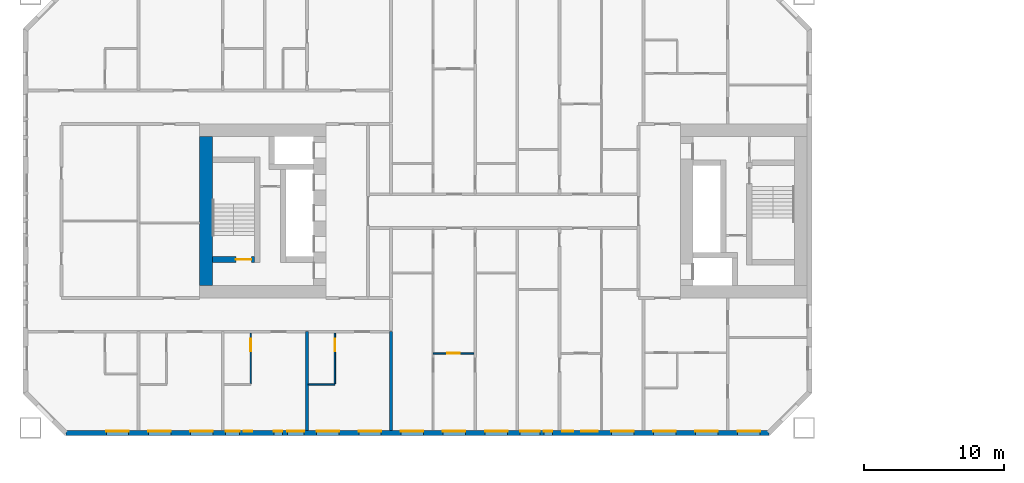
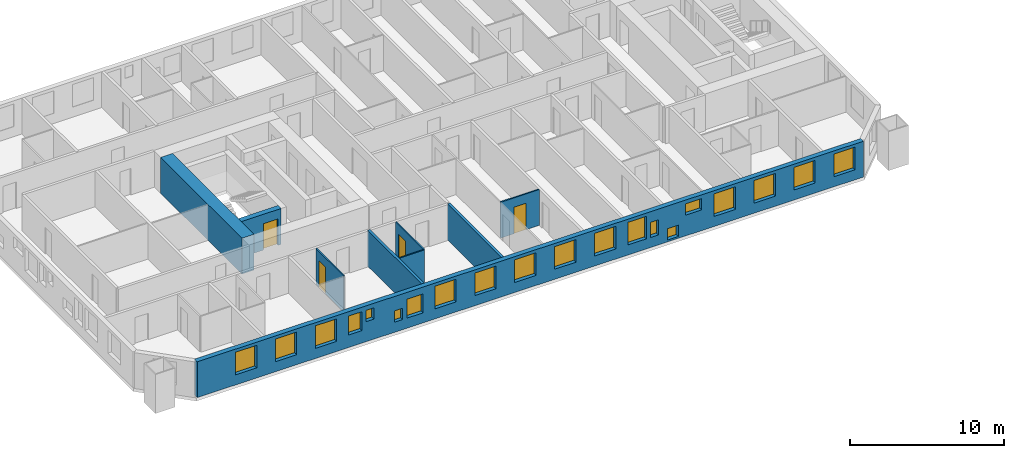
# One storey, part 3 of 17: 20 windows, 9 walls, 4 doors, 24 openings.
"""IFC4 building model written with IfcOpenShell, lengths in metres."""

import ifcopenshell
import ifcopenshell.guid

model = None  # the IFC model being written
_history = None  # IfcOwnerHistory: only IFC2X3 demands one
_inside = {}  # id of a spatial element -> (the spatial element, [elements in it])
_under = {}  # id of a project, library or spatial element -> (it, [spatial elements below it])
_declared = {}  # id of a project -> (the project, [libraries it declares])
_typed = {}  # id of a type object -> (the type object, [elements of that type])
_made_of = {}  # id of a material, layer set ... -> (it, [elements and type objects made of it])


def new_model(schema):
    """Start an empty IFC model of exactly this schema.

    Asked for "IFC4X3", IfcOpenShell would pick the latest addendum, in which some entities
    have other attributes; the version numbers below select the first issue.
    IFC2X3 requires an IfcOwnerHistory on every rooted entity: one is made here for all.
    """
    global model, _history
    if schema == "IFC4X3":
        model = ifcopenshell.file(schema_version=(4, 3, 0, 0))
    else:
        model = ifcopenshell.file(schema=schema)
    _inside.clear()
    _under.clear()
    _declared.clear()
    _typed.clear()
    _made_of.clear()
    _history = None
    if model.schema == "IFC2X3":
        org = make("IfcOrganization", Name="unknown")
        user = make(
            "IfcPersonAndOrganization",
            ThePerson=make("IfcPerson", FamilyName="unknown"),
            TheOrganization=org,
        )
        app = make(
            "IfcApplication",
            ApplicationDeveloper=org,
            Version="unknown",
            ApplicationFullName="unknown",
            ApplicationIdentifier="unknown",
        )
        _history = make(
            "IfcOwnerHistory",
            OwningUser=user,
            OwningApplication=app,
            ChangeAction="ADDED",
            CreationDate=0,
        )
    return model


def make(cls, **values):
    """One entity of the class cls with the attributes given. An attribute that is None is left unset."""
    return model.create_entity(
        cls, **{name: value for name, value in values.items() if value is not None}
    )


def rooted(cls, **values):
    """An entity with a GlobalId (a new one), such as an element, a storey or a relation."""
    return make(cls, GlobalId=ifcopenshell.guid.new(), OwnerHistory=_history, **values)


def si_unit(unit_type, name, prefix=None):
    """IfcSIUnit, for example si_unit("LENGTHUNIT", "METRE", prefix="MILLI")."""
    return make("IfcSIUnit", UnitType=unit_type, Prefix=prefix, Name=name)


def assignment(units):
    """IfcUnitAssignment: the units of a project."""
    return None if units is None else make("IfcUnitAssignment", Units=units)


def point(xyz):
    """IfcCartesianPoint."""
    return None if xyz is None else make("IfcCartesianPoint", Coordinates=xyz)


def direction(xyz):
    """IfcDirection."""
    return None if xyz is None else make("IfcDirection", DirectionRatios=xyz)


def frame(location, z_axis=None, x_axis=None):
    """IfcAxis2Placement3D, a coordinate frame: its origin and axes. An axis left out is left unset."""
    return make(
        "IfcAxis2Placement3D",
        Location=point(location),
        Axis=direction(z_axis),
        RefDirection=direction(x_axis),
    )


def frame_2d(location, x_axis=None):
    """IfcAxis2Placement2D, a coordinate frame in the plane: its origin and x axis."""
    return make(
        "IfcAxis2Placement2D", Location=point(location), RefDirection=direction(x_axis)
    )


def origin():
    """The frame at (0, 0, 0) with its axes left unset."""
    return frame((0.0, 0.0, 0.0))


def place(relative_to, where):
    """IfcLocalPlacement: puts the frame where relative to a parent placement (None: the world)."""
    return make(
        "IfcLocalPlacement", PlacementRelTo=relative_to, RelativePlacement=where
    )


def context(
    kind, dimensions, precision=None, world=None, true_north=None, identifier=None
):
    """IfcGeometricRepresentationContext, for example the 3D "Model" context."""
    return make(
        "IfcGeometricRepresentationContext",
        ContextIdentifier=identifier,
        ContextType=kind,
        CoordinateSpaceDimension=dimensions,
        Precision=precision,
        WorldCoordinateSystem=world,
        TrueNorth=true_north,
    )


def subcontext(parent, identifier, kind, view, scale=None):
    """IfcGeometricRepresentationSubContext, for example "Body" below "Model"."""
    return make(
        "IfcGeometricRepresentationSubContext",
        ContextIdentifier=identifier,
        ContextType=kind,
        ParentContext=parent,
        TargetScale=scale,
        TargetView=view,
    )


def project(units=None, contexts=None):
    """IfcProject with its units and contexts."""
    return rooted(
        "IfcProject",
        Name="project",
        RepresentationContexts=contexts,
        UnitsInContext=assignment(units),
    )


def spatial(cls, under=None, at=None, **own):
    """A site, building, storey or space (cls), placed at a placement, below another one or the project."""
    s = rooted(cls, ObjectPlacement=at, **own)
    if under is not None:
        _under.setdefault(under.id(), (under, []))[1].append(s)
    return s


def profile(cls, at=None, kind="AREA", **sizes):
    """A parametric profile (cls). Its sizes go by their IFC names, for example OverallWidth=200.0."""
    return make(cls, ProfileType=kind, Position=at, **sizes)


def rectangle(**sizes):
    """IfcRectangleProfileDef."""
    return profile("IfcRectangleProfileDef", **sizes)


def extrude(swept, where, along, depth):
    """IfcExtrudedAreaSolid: the profile swept, set in the frame where, extruded along a direction by depth."""
    return make(
        "IfcExtrudedAreaSolid",
        SweptArea=swept,
        Position=where,
        ExtrudedDirection=direction(along),
        Depth=depth,
    )


def shape(context_of_items, identifier, shape_type, items):
    """IfcShapeRepresentation: the items that make up one representation, for example the "Body"."""
    return make(
        "IfcShapeRepresentation",
        ContextOfItems=context_of_items,
        RepresentationIdentifier=identifier,
        RepresentationType=shape_type,
        Items=items,
    )


def material(Name=None, Category=None):
    """IfcMaterial."""
    return make("IfcMaterial", Name=Name, Category=Category)


def layer(
    of_material, thickness, ventilated=None, Name=None, Category=None, Priority=None
):
    """IfcMaterialLayer: one layer of a wall or slab, of a material (None: an air gap)."""
    return make(
        "IfcMaterialLayer",
        Material=of_material,
        LayerThickness=thickness,
        IsVentilated=ventilated,
        Name=Name,
        Category=Category,
        Priority=Priority,
    )


def layer_set(layers, Name=None):
    """IfcMaterialLayerSet."""
    return make("IfcMaterialLayerSet", MaterialLayers=layers, LayerSetName=Name)


def made_of(thing, what):
    """Note that an element or type object is made of a material, layer set ...; save() writes the relation."""
    if what is not None:
        _made_of.setdefault(what.id(), (what, []))[1].append(thing)
    return thing


def type_object(cls, material=None, **own):
    """A type object (cls), such as IfcWallType, which elements share."""
    return made_of(rooted(cls, **own), material)


def element(
    cls,
    number,
    at=None,
    inside=None,
    cuts=None,
    type_object=None,
    material=None,
    context=None,
    identifier="Body",
    shape_type=None,
    held_by="IfcProductDefinitionShape",
    body=None,
    shapes=None,
    **own,
):
    """One element of the class cls, such as IfcWall. Its Tag is "e" and its number.

    at: its placement. inside: the storey or other place that contains it. cuts: it is an
    opening in that element (IfcRelVoidsElement). A single representation is given by context,
    identifier, shape_type and body (its items); several are given by shapes. held_by: the class
    of the entity that holds the representations. save() writes the other relations.
    """
    e = rooted(cls, Tag="e%d" % number, ObjectPlacement=at, **own)
    if body is not None:
        shapes = [shape(context, identifier, shape_type, body)]
    if shapes is not None:
        e.Representation = make(held_by, Representations=shapes)
    if inside is not None:
        _inside.setdefault(inside.id(), (inside, []))[1].append(e)
    if cuts is not None:
        rooted(
            "IfcRelVoidsElement", RelatingBuildingElement=cuts, RelatedOpeningElement=e
        )
    if type_object is not None:
        _typed.setdefault(type_object.id(), (type_object, []))[1].append(e)
    return made_of(e, material)


def fill(opening, filler):
    """IfcRelFillsElement: the door or window that sits in an opening."""
    return rooted(
        "IfcRelFillsElement",
        RelatingOpeningElement=opening,
        RelatedBuildingElement=filler,
    )


def aggregate(whole, parts):
    """IfcRelAggregates: a whole, such as a stair, and the parts it consists of."""
    return rooted("IfcRelAggregates", RelatingObject=whole, RelatedObjects=parts)


def save(model, path):
    """Write the relations noted so far, then the file.

    IfcRelAggregates (storeys below a building ...), IfcRelContainedInSpatialStructure (elements
    in a storey), IfcRelDefinesByType, IfcRelAssociatesMaterial and IfcRelDeclares: one each for
    every whole, place, type object, material and project.
    """
    for whole, parts in _under.values():
        aggregate(whole, parts)
    for where, things in _inside.values():
        rooted(
            "IfcRelContainedInSpatialStructure",
            RelatedElements=things,
            RelatingStructure=where,
        )
    for kind, things in _typed.values():
        rooted("IfcRelDefinesByType", RelatedObjects=things, RelatingType=kind)
    for what, things in _made_of.values():
        rooted("IfcRelAssociatesMaterial", RelatedObjects=things, RelatingMaterial=what)
    for by, libraries in _declared.values():
        rooted("IfcRelDeclares", RelatingContext=by, RelatedDefinitions=libraries)
    model.write(path)


model = new_model("IFC4")

# Units and contexts
model_context = context("Model", 3, precision=1e-05, world=origin(), true_north=direction((0.0, 1.0)))
body_context = subcontext(model_context, "Body", "Model", "MODEL_VIEW")
ifc_project = project(units=[si_unit("LENGTHUNIT", "METRE"), si_unit("AREAUNIT", "SQUARE_METRE"), si_unit("VOLUMEUNIT", "CUBIC_METRE"), si_unit("PLANEANGLEUNIT", "RADIAN"), si_unit("MASSUNIT", "GRAM", prefix="KILO")], contexts=[model_context])

# Site, building, storey
site_placement = place(None, origin())
site = spatial("IfcSite", under=ifc_project, at=site_placement, CompositionType="ELEMENT")
building_placement = place(site_placement, origin())
building = spatial("IfcBuilding", under=site, at=building_placement, Name="Tuart Gate Housing", CompositionType="ELEMENT")
storey_placement = place(building_placement, frame((0.0, 0.0, 28.800048828125)))
storey = spatial("IfcBuildingStorey", under=building, at=storey_placement, Name="L07", CompositionType="ELEMENT", Elevation=28.800048828125)

# Wall, openings, windows
ifc_material_1 = material(Name="Brick", Category="masonry")
ifc_layer_1 = layer(ifc_material_1, 0.360107421875)
ifc_layer_set_1 = layer_set([ifc_layer_1], Name="Brick pier and spandrel wall 360")
wall_type_1 = type_object("IfcWallType", Name="Brick pier and spandrel wall 360", PredefinedType="STANDARD", material=ifc_layer_set_1)
wall_1_placement = place(storey_placement, frame((22.82470703125, 54.179931640625, 0.0), z_axis=(0.0, 0.0, 1.0), x_axis=(1.0, 0.0, 0.0)))
wall_1 = element("IfcWall", 1, at=wall_1_placement, inside=storey, type_object=wall_type_1, Name="External wall A-S L07", PredefinedType="STANDARD", context=body_context, shape_type="SweptSolid", body=[
    extrude(rectangle(XDim=50.100830078125, YDim=0.360107421875, at=frame_2d((25.05029296875, 0.0))), origin(), (0.0, 0.0, 1.0), 2.849853515625),
])
opening_1_placement = place(wall_1_placement, frame((2.87548828125, 0.0, 0.800048828125)))
opening_1 = element("IfcOpeningElement", 2, at=opening_1_placement, cuts=wall_1, Name="Opening W1", PredefinedType="OPENING", context=body_context, shape_type="SweptSolid", body=[
    extrude(rectangle(XDim=1.60009765625, YDim=1.800048828125, at=frame_2d((0.800048828125, 0.89990234375))), frame((0.0, 0.18994140625, 0.0), z_axis=(0.0, -1.0, 0.0), x_axis=(1.0, 0.0, 0.0)), (0.0, 0.0, 1.0), 0.380126953125),
])
opening_2_placement = place(wall_1_placement, frame((5.87548828125, 0.0, 0.800048828125)))
opening_2 = element("IfcOpeningElement", 3, at=opening_2_placement, cuts=wall_1, Name="Opening W1", PredefinedType="OPENING", context=body_context, shape_type="SweptSolid", body=[
    extrude(rectangle(XDim=1.60009765625, YDim=1.800048828125, at=frame_2d((0.800048828125, 0.89990234375))), frame((0.0, 0.18994140625, 0.0), z_axis=(0.0, -1.0, 0.0), x_axis=(1.0, 0.0, 0.0)), (0.0, 0.0, 1.0), 0.380126953125),
])
opening_3_placement = place(wall_1_placement, frame((8.87548828125, 0.0, 0.800048828125)))
opening_3 = element("IfcOpeningElement", 4, at=opening_3_placement, cuts=wall_1, Name="Opening W1", PredefinedType="OPENING", context=body_context, shape_type="SweptSolid", body=[
    extrude(rectangle(XDim=1.60009765625, YDim=1.800048828125, at=frame_2d((0.800048828125, 0.89990234375))), frame((0.0, 0.18994140625, 0.0), z_axis=(0.0, -1.0, 0.0), x_axis=(1.0, 0.0, 0.0)), (0.0, 0.0, 1.0), 0.380126953125),
])
opening_4_placement = place(wall_1_placement, frame((11.37548828125, 0.0, 1.0)))
opening_4 = element("IfcOpeningElement", 5, at=opening_4_placement, cuts=wall_1, Name="Opening W1I", PredefinedType="OPENING", context=body_context, shape_type="SweptSolid", body=[
    extrude(rectangle(XDim=1.0, YDim=1.5, at=frame_2d((0.5, 0.75))), frame((0.0, 0.18994140625, 0.0), z_axis=(0.0, -1.0, 0.0), x_axis=(1.0, 0.0, 0.0)), (0.0, 0.0, 1.0), 0.380126953125),
])
opening_5_placement = place(wall_1_placement, frame((12.67529296875, 0.0, 1.60009765625)))
opening_5 = element("IfcOpeningElement", 6, at=opening_5_placement, cuts=wall_1, Name="Opening W1W", PredefinedType="OPENING", context=body_context, shape_type="SweptSolid", body=[
    extrude(rectangle(XDim=0.60009765625, YDim=0.89990234375, at=frame_2d((0.300048828125, 0.449951171875))), frame((0.0, 0.18994140625, 0.0), z_axis=(0.0, -1.0, 0.0), x_axis=(1.0, 0.0, 0.0)), (0.0, 0.0, 1.0), 0.380126953125),
])
opening_6_placement = place(wall_1_placement, frame((17.87548828125, 0.0, 0.800048828125)))
opening_6 = element("IfcOpeningElement", 7, at=opening_6_placement, cuts=wall_1, Name="Opening W1", PredefinedType="OPENING", context=body_context, shape_type="SweptSolid", body=[
    extrude(rectangle(XDim=1.60009765625, YDim=1.800048828125, at=frame_2d((0.800048828125, 0.89990234375))), frame((0.0, 0.18994140625, 0.0), z_axis=(0.0, -1.0, 0.0), x_axis=(1.0, 0.0, 0.0)), (0.0, 0.0, 1.0), 0.380126953125),
])
opening_7_placement = place(wall_1_placement, frame((20.87548828125, 0.0, 0.800048828125)))
opening_7 = element("IfcOpeningElement", 8, at=opening_7_placement, cuts=wall_1, Name="Opening W1", PredefinedType="OPENING", context=body_context, shape_type="SweptSolid", body=[
    extrude(rectangle(XDim=1.60009765625, YDim=1.800048828125, at=frame_2d((0.800048828125, 0.89990234375))), frame((0.0, 0.18994140625, 0.0), z_axis=(0.0, -1.0, 0.0), x_axis=(1.0, 0.0, 0.0)), (0.0, 0.0, 1.0), 0.380126953125),
])
opening_8_placement = place(wall_1_placement, frame((23.87548828125, 0.0, 0.800048828125)))
opening_8 = element("IfcOpeningElement", 9, at=opening_8_placement, cuts=wall_1, Name="Opening W1", PredefinedType="OPENING", context=body_context, shape_type="SweptSolid", body=[
    extrude(rectangle(XDim=1.60009765625, YDim=1.800048828125, at=frame_2d((0.800048828125, 0.89990234375))), frame((0.0, 0.18994140625, 0.0), z_axis=(0.0, -1.0, 0.0), x_axis=(1.0, 0.0, 0.0)), (0.0, 0.0, 1.0), 0.380126953125),
])
opening_9_placement = place(wall_1_placement, frame((26.87548828125, 0.0, 0.800048828125)))
opening_9 = element("IfcOpeningElement", 10, at=opening_9_placement, cuts=wall_1, Name="Opening W1", PredefinedType="OPENING", context=body_context, shape_type="SweptSolid", body=[
    extrude(rectangle(XDim=1.60009765625, YDim=1.800048828125, at=frame_2d((0.800048828125, 0.89990234375))), frame((0.0, 0.18994140625, 0.0), z_axis=(0.0, -1.0, 0.0), x_axis=(1.0, 0.0, 0.0)), (0.0, 0.0, 1.0), 0.380126953125),
])
opening_10_placement = place(wall_1_placement, frame((29.87548828125, 0.0, 0.800048828125)))
opening_10 = element("IfcOpeningElement", 11, at=opening_10_placement, cuts=wall_1, Name="Opening W1", PredefinedType="OPENING", context=body_context, shape_type="SweptSolid", body=[
    extrude(rectangle(XDim=1.60009765625, YDim=1.800048828125, at=frame_2d((0.800048828125, 0.89990234375))), frame((0.0, 0.18994140625, 0.0), z_axis=(0.0, -1.0, 0.0), x_axis=(1.0, 0.0, 0.0)), (0.0, 0.0, 1.0), 0.380126953125),
])
opening_11_placement = place(wall_1_placement, frame((32.37548828125, 0.0, 0.800048828125)))
opening_11 = element("IfcOpeningElement", 12, at=opening_11_placement, cuts=wall_1, Name="Opening W1A", PredefinedType="OPENING", context=body_context, shape_type="SweptSolid", body=[
    extrude(rectangle(XDim=1.39990234375, YDim=1.800048828125, at=frame_2d((0.699951171875, 0.89990234375))), frame((0.0, 0.18994140625, 0.0), z_axis=(0.0, -1.0, 0.0), x_axis=(1.0, 0.0, 0.0)), (0.0, 0.0, 1.0), 0.380126953125),
])
opening_12_placement = place(wall_1_placement, frame((35.37548828125, 0.0, 0.14990234375)))
opening_12 = element("IfcOpeningElement", 13, at=opening_12_placement, cuts=wall_1, Name="Opening W1V", PredefinedType="OPENING", context=body_context, shape_type="SweptSolid", body=[
    extrude(rectangle(XDim=0.800048828125, YDim=0.89990234375, at=frame_2d((0.39990234375, 0.449951171875))), frame((0.0, 0.18994140625, 0.0), z_axis=(0.0, -1.0, 0.0), x_axis=(1.0, 0.0, 0.0)), (0.0, 0.0, 1.0), 0.380126953125),
])
opening_13_placement = place(wall_1_placement, frame((38.87548828125, 0.0, 0.800048828125)))
opening_13 = element("IfcOpeningElement", 14, at=opening_13_placement, cuts=wall_1, Name="Opening W1", PredefinedType="OPENING", context=body_context, shape_type="SweptSolid", body=[
    extrude(rectangle(XDim=1.60009765625, YDim=1.800048828125, at=frame_2d((0.800048828125, 0.89990234375))), frame((0.0, 0.18994140625, 0.0), z_axis=(0.0, -1.0, 0.0), x_axis=(1.0, 0.0, 0.0)), (0.0, 0.0, 1.0), 0.380126953125),
])
opening_14_placement = place(wall_1_placement, frame((41.87548828125, 0.0, 0.800048828125)))
opening_14 = element("IfcOpeningElement", 15, at=opening_14_placement, cuts=wall_1, Name="Opening W1", PredefinedType="OPENING", context=body_context, shape_type="SweptSolid", body=[
    extrude(rectangle(XDim=1.60009765625, YDim=1.800048828125, at=frame_2d((0.800048828125, 0.89990234375))), frame((0.0, 0.18994140625, 0.0), z_axis=(0.0, -1.0, 0.0), x_axis=(1.0, 0.0, 0.0)), (0.0, 0.0, 1.0), 0.380126953125),
])
opening_15_placement = place(wall_1_placement, frame((44.87548828125, 0.0, 0.800048828125)))
opening_15 = element("IfcOpeningElement", 16, at=opening_15_placement, cuts=wall_1, Name="Opening W1", PredefinedType="OPENING", context=body_context, shape_type="SweptSolid", body=[
    extrude(rectangle(XDim=1.60009765625, YDim=1.800048828125, at=frame_2d((0.800048828125, 0.89990234375))), frame((0.0, 0.18994140625, 0.0), z_axis=(0.0, -1.0, 0.0), x_axis=(1.0, 0.0, 0.0)), (0.0, 0.0, 1.0), 0.380126953125),
])
opening_16_placement = place(wall_1_placement, frame((47.87548828125, 0.0, 0.800048828125)))
opening_16 = element("IfcOpeningElement", 17, at=opening_16_placement, cuts=wall_1, Name="Opening W1", PredefinedType="OPENING", context=body_context, shape_type="SweptSolid", body=[
    extrude(rectangle(XDim=1.60009765625, YDim=1.800048828125, at=frame_2d((0.800048828125, 0.89990234375))), frame((0.0, 0.18994140625, 0.0), z_axis=(0.0, -1.0, 0.0), x_axis=(1.0, 0.0, 0.0)), (0.0, 0.0, 1.0), 0.380126953125),
])
opening_17_placement = place(wall_1_placement, frame((14.825439453125, 0.0, 0.800048828125)))
opening_17 = element("IfcOpeningElement", 18, at=opening_17_placement, cuts=wall_1, Name="Opening W1W", PredefinedType="OPENING", context=body_context, shape_type="SweptSolid", body=[
    extrude(rectangle(XDim=0.60009765625, YDim=0.89990234375, at=frame_2d((0.300048828125, 0.449951171875))), frame((0.0, 0.18994140625, 0.0), z_axis=(0.0, -1.0, 0.0), x_axis=(1.0, 0.0, 0.0)), (0.0, 0.0, 1.0), 0.380126953125),
])
opening_18_placement = place(wall_1_placement, frame((15.775390625, 0.0, 0.800048828125)))
opening_18 = element("IfcOpeningElement", 19, at=opening_18_placement, cuts=wall_1, Name="Opening W1H", PredefinedType="OPENING", context=body_context, shape_type="SweptSolid", body=[
    extrude(rectangle(XDim=1.199951171875, YDim=1.5, at=frame_2d((0.60009765625, 0.75))), frame((0.0, 0.18994140625, 0.0), z_axis=(0.0, -1.0, 0.0), x_axis=(1.0, 0.0, 0.0)), (0.0, 0.0, 1.0), 0.380126953125),
])
opening_19_placement = place(wall_1_placement, frame((34.075439453125, 0.0, 0.800048828125)))
opening_19 = element("IfcOpeningElement", 20, at=opening_19_placement, cuts=wall_1, Name="Opening W1Q", PredefinedType="OPENING", context=body_context, shape_type="SweptSolid", body=[
    extrude(rectangle(XDim=0.60009765625, YDim=1.199951171875, at=frame_2d((0.300048828125, 0.60009765625))), frame((0.0, 0.18994140625, 0.0), z_axis=(0.0, -1.0, 0.0), x_axis=(1.0, 0.0, 0.0)), (0.0, 0.0, 1.0), 0.380126953125),
])
opening_20_placement = place(wall_1_placement, frame((36.725341796875, 0.0, 1.64990234375)))
opening_20 = element("IfcOpeningElement", 21, at=opening_20_placement, cuts=wall_1, Name="Opening W1T", PredefinedType="OPENING", context=body_context, shape_type="SweptSolid", body=[
    extrude(rectangle(XDim=1.199951171875, YDim=0.89990234375, at=frame_2d((0.60009765625, 0.449951171875))), frame((0.0, 0.18994140625, 0.0), z_axis=(0.0, -1.0, 0.0), x_axis=(1.0, 0.0, 0.0)), (0.0, 0.0, 1.0), 0.380126953125),
])
ifc_material_2 = material(Name="Aluminium frame with clear glass", Category="aluminium")
window_type_1 = type_object("IfcWindowType", Name="Punched window 1000 x 1500", PartitioningType="SINGLE_PANEL", PredefinedType="WINDOW", material=ifc_material_2)
window_1_placement = place(opening_4_placement, origin())
window_1 = element("IfcWindow", 22, at=window_1_placement, inside=storey, type_object=window_type_1, Name="Window W1I", OverallHeight=1.5, OverallWidth=1.0, PartitioningType="SINGLE_PANEL", PredefinedType="WINDOW", context=body_context, shape_type="SweptSolid", body=[
    extrude(rectangle(XDim=1.0, YDim=1.5, at=frame_2d((0.5, 0.75))), frame((0.0, 0.150146484375, 0.0), z_axis=(0.0, -1.0, 0.0), x_axis=(1.0, 0.0, 0.0)), (0.0, 0.0, 1.0), 0.06005859375),
])
fill(opening_4, window_1)
ifc_material_3 = material(Name="Aluminium frame with clear glass", Category="aluminium")
window_type_2 = type_object("IfcWindowType", Name="Punched window 1200 x 1500", PartitioningType="SINGLE_PANEL", PredefinedType="WINDOW", material=ifc_material_3)
window_2_placement = place(opening_18_placement, origin())
window_2 = element("IfcWindow", 23, at=window_2_placement, inside=storey, type_object=window_type_2, Name="Window W1H", OverallHeight=1.5, OverallWidth=1.199951171875, PartitioningType="SINGLE_PANEL", PredefinedType="WINDOW", context=body_context, shape_type="SweptSolid", body=[
    extrude(rectangle(XDim=1.199951171875, YDim=1.5, at=frame_2d((0.60009765625, 0.75))), frame((0.0, 0.150146484375, 0.0), z_axis=(0.0, -1.0, 0.0), x_axis=(1.0, 0.0, 0.0)), (0.0, 0.0, 1.0), 0.06005859375),
])
fill(opening_18, window_2)
ifc_material_4 = material(Name="Aluminium frame with clear glass", Category="aluminium")
window_type_3 = type_object("IfcWindowType", Name="Punched window 1200 x 900", PartitioningType="SINGLE_PANEL", PredefinedType="WINDOW", material=ifc_material_4)
window_3_placement = place(opening_20_placement, origin())
window_3 = element("IfcWindow", 24, at=window_3_placement, inside=storey, type_object=window_type_3, Name="Window W1T", OverallHeight=0.89990234375, OverallWidth=1.199951171875, PartitioningType="SINGLE_PANEL", PredefinedType="WINDOW", context=body_context, shape_type="SweptSolid", body=[
    extrude(rectangle(XDim=1.199951171875, YDim=0.89990234375, at=frame_2d((0.60009765625, 0.449951171875))), frame((0.0, 0.150146484375, 0.0), z_axis=(0.0, -1.0, 0.0), x_axis=(1.0, 0.0, 0.0)), (0.0, 0.0, 1.0), 0.06005859375),
])
fill(opening_20, window_3)
ifc_material_5 = material(Name="Aluminium frame with clear glass", Category="aluminium")
window_type_4 = type_object("IfcWindowType", Name="Punched window 1400 x 1800", PartitioningType="SINGLE_PANEL", PredefinedType="WINDOW", material=ifc_material_5)
window_4_placement = place(opening_11_placement, origin())
window_4 = element("IfcWindow", 25, at=window_4_placement, inside=storey, type_object=window_type_4, Name="Window W1A", OverallHeight=1.800048828125, OverallWidth=1.39990234375, PartitioningType="SINGLE_PANEL", PredefinedType="WINDOW", context=body_context, shape_type="SweptSolid", body=[
    extrude(rectangle(XDim=1.39990234375, YDim=1.800048828125, at=frame_2d((0.699951171875, 0.89990234375))), frame((0.0, 0.150146484375, 0.0), z_axis=(0.0, -1.0, 0.0), x_axis=(1.0, 0.0, 0.0)), (0.0, 0.0, 1.0), 0.06005859375),
])
fill(opening_11, window_4)
ifc_material_6 = material(Name="Aluminium frame with clear glass", Category="aluminium")
window_type_5 = type_object("IfcWindowType", Name="Punched window 1600 x 1800", PartitioningType="SINGLE_PANEL", PredefinedType="WINDOW", material=ifc_material_6)
window_5_placement = place(opening_1_placement, origin())
window_5 = element("IfcWindow", 26, at=window_5_placement, inside=storey, type_object=window_type_5, Name="Window W1", OverallHeight=1.800048828125, OverallWidth=1.60009765625, PartitioningType="SINGLE_PANEL", PredefinedType="WINDOW", context=body_context, shape_type="SweptSolid", body=[
    extrude(rectangle(XDim=1.60009765625, YDim=1.800048828125, at=frame_2d((0.800048828125, 0.89990234375))), frame((0.0, 0.150146484375, 0.0), z_axis=(0.0, -1.0, 0.0), x_axis=(1.0, 0.0, 0.0)), (0.0, 0.0, 1.0), 0.06005859375),
])
fill(opening_1, window_5)
window_6_placement = place(opening_2_placement, origin())
window_6 = element("IfcWindow", 27, at=window_6_placement, inside=storey, type_object=window_type_5, Name="Window W1", OverallHeight=1.800048828125, OverallWidth=1.60009765625, PartitioningType="SINGLE_PANEL", PredefinedType="WINDOW", context=body_context, shape_type="SweptSolid", body=[
    extrude(rectangle(XDim=1.60009765625, YDim=1.800048828125, at=frame_2d((0.800048828125, 0.89990234375))), frame((0.0, 0.150146484375, 0.0), z_axis=(0.0, -1.0, 0.0), x_axis=(1.0, 0.0, 0.0)), (0.0, 0.0, 1.0), 0.06005859375),
])
fill(opening_2, window_6)
window_7_placement = place(opening_3_placement, origin())
window_7 = element("IfcWindow", 28, at=window_7_placement, inside=storey, type_object=window_type_5, Name="Window W1", OverallHeight=1.800048828125, OverallWidth=1.60009765625, PartitioningType="SINGLE_PANEL", PredefinedType="WINDOW", context=body_context, shape_type="SweptSolid", body=[
    extrude(rectangle(XDim=1.60009765625, YDim=1.800048828125, at=frame_2d((0.800048828125, 0.89990234375))), frame((0.0, 0.150146484375, 0.0), z_axis=(0.0, -1.0, 0.0), x_axis=(1.0, 0.0, 0.0)), (0.0, 0.0, 1.0), 0.06005859375),
])
fill(opening_3, window_7)
window_8_placement = place(opening_6_placement, origin())
window_8 = element("IfcWindow", 29, at=window_8_placement, inside=storey, type_object=window_type_5, Name="Window W1", OverallHeight=1.800048828125, OverallWidth=1.60009765625, PartitioningType="SINGLE_PANEL", PredefinedType="WINDOW", context=body_context, shape_type="SweptSolid", body=[
    extrude(rectangle(XDim=1.60009765625, YDim=1.800048828125, at=frame_2d((0.800048828125, 0.89990234375))), frame((0.0, 0.150146484375, 0.0), z_axis=(0.0, -1.0, 0.0), x_axis=(1.0, 0.0, 0.0)), (0.0, 0.0, 1.0), 0.06005859375),
])
fill(opening_6, window_8)
window_9_placement = place(opening_7_placement, origin())
window_9 = element("IfcWindow", 30, at=window_9_placement, inside=storey, type_object=window_type_5, Name="Window W1", OverallHeight=1.800048828125, OverallWidth=1.60009765625, PartitioningType="SINGLE_PANEL", PredefinedType="WINDOW", context=body_context, shape_type="SweptSolid", body=[
    extrude(rectangle(XDim=1.60009765625, YDim=1.800048828125, at=frame_2d((0.800048828125, 0.89990234375))), frame((0.0, 0.150146484375, 0.0), z_axis=(0.0, -1.0, 0.0), x_axis=(1.0, 0.0, 0.0)), (0.0, 0.0, 1.0), 0.06005859375),
])
fill(opening_7, window_9)
window_10_placement = place(opening_8_placement, origin())
window_10 = element("IfcWindow", 31, at=window_10_placement, inside=storey, type_object=window_type_5, Name="Window W1", OverallHeight=1.800048828125, OverallWidth=1.60009765625, PartitioningType="SINGLE_PANEL", PredefinedType="WINDOW", context=body_context, shape_type="SweptSolid", body=[
    extrude(rectangle(XDim=1.60009765625, YDim=1.800048828125, at=frame_2d((0.800048828125, 0.89990234375))), frame((0.0, 0.150146484375, 0.0), z_axis=(0.0, -1.0, 0.0), x_axis=(1.0, 0.0, 0.0)), (0.0, 0.0, 1.0), 0.06005859375),
])
fill(opening_8, window_10)
window_11_placement = place(opening_9_placement, origin())
window_11 = element("IfcWindow", 32, at=window_11_placement, inside=storey, type_object=window_type_5, Name="Window W1", OverallHeight=1.800048828125, OverallWidth=1.60009765625, PartitioningType="SINGLE_PANEL", PredefinedType="WINDOW", context=body_context, shape_type="SweptSolid", body=[
    extrude(rectangle(XDim=1.60009765625, YDim=1.800048828125, at=frame_2d((0.800048828125, 0.89990234375))), frame((0.0, 0.150146484375, 0.0), z_axis=(0.0, -1.0, 0.0), x_axis=(1.0, 0.0, 0.0)), (0.0, 0.0, 1.0), 0.06005859375),
])
fill(opening_9, window_11)
window_12_placement = place(opening_10_placement, origin())
window_12 = element("IfcWindow", 33, at=window_12_placement, inside=storey, type_object=window_type_5, Name="Window W1", OverallHeight=1.800048828125, OverallWidth=1.60009765625, PartitioningType="SINGLE_PANEL", PredefinedType="WINDOW", context=body_context, shape_type="SweptSolid", body=[
    extrude(rectangle(XDim=1.60009765625, YDim=1.800048828125, at=frame_2d((0.800048828125, 0.89990234375))), frame((0.0, 0.150146484375, 0.0), z_axis=(0.0, -1.0, 0.0), x_axis=(1.0, 0.0, 0.0)), (0.0, 0.0, 1.0), 0.06005859375),
])
fill(opening_10, window_12)
window_13_placement = place(opening_13_placement, origin())
window_13 = element("IfcWindow", 34, at=window_13_placement, inside=storey, type_object=window_type_5, Name="Window W1", OverallHeight=1.800048828125, OverallWidth=1.60009765625, PartitioningType="SINGLE_PANEL", PredefinedType="WINDOW", context=body_context, shape_type="SweptSolid", body=[
    extrude(rectangle(XDim=1.60009765625, YDim=1.800048828125, at=frame_2d((0.800048828125, 0.89990234375))), frame((0.0, 0.150146484375, 0.0), z_axis=(0.0, -1.0, 0.0), x_axis=(1.0, 0.0, 0.0)), (0.0, 0.0, 1.0), 0.06005859375),
])
fill(opening_13, window_13)
window_14_placement = place(opening_14_placement, origin())
window_14 = element("IfcWindow", 35, at=window_14_placement, inside=storey, type_object=window_type_5, Name="Window W1", OverallHeight=1.800048828125, OverallWidth=1.60009765625, PartitioningType="SINGLE_PANEL", PredefinedType="WINDOW", context=body_context, shape_type="SweptSolid", body=[
    extrude(rectangle(XDim=1.60009765625, YDim=1.800048828125, at=frame_2d((0.800048828125, 0.89990234375))), frame((0.0, 0.150146484375, 0.0), z_axis=(0.0, -1.0, 0.0), x_axis=(1.0, 0.0, 0.0)), (0.0, 0.0, 1.0), 0.06005859375),
])
fill(opening_14, window_14)
window_15_placement = place(opening_15_placement, origin())
window_15 = element("IfcWindow", 36, at=window_15_placement, inside=storey, type_object=window_type_5, Name="Window W1", OverallHeight=1.800048828125, OverallWidth=1.60009765625, PartitioningType="SINGLE_PANEL", PredefinedType="WINDOW", context=body_context, shape_type="SweptSolid", body=[
    extrude(rectangle(XDim=1.60009765625, YDim=1.800048828125, at=frame_2d((0.800048828125, 0.89990234375))), frame((0.0, 0.150146484375, 0.0), z_axis=(0.0, -1.0, 0.0), x_axis=(1.0, 0.0, 0.0)), (0.0, 0.0, 1.0), 0.06005859375),
])
fill(opening_15, window_15)
window_16_placement = place(opening_16_placement, origin())
window_16 = element("IfcWindow", 37, at=window_16_placement, inside=storey, type_object=window_type_5, Name="Window W1", OverallHeight=1.800048828125, OverallWidth=1.60009765625, PartitioningType="SINGLE_PANEL", PredefinedType="WINDOW", context=body_context, shape_type="SweptSolid", body=[
    extrude(rectangle(XDim=1.60009765625, YDim=1.800048828125, at=frame_2d((0.800048828125, 0.89990234375))), frame((0.0, 0.150146484375, 0.0), z_axis=(0.0, -1.0, 0.0), x_axis=(1.0, 0.0, 0.0)), (0.0, 0.0, 1.0), 0.06005859375),
])
fill(opening_16, window_16)
ifc_material_7 = material(Name="Aluminium frame with clear glass", Category="aluminium")
window_type_6 = type_object("IfcWindowType", Name="Punched window 600 x 1200", PartitioningType="SINGLE_PANEL", PredefinedType="WINDOW", material=ifc_material_7)
window_17_placement = place(opening_19_placement, origin())
window_17 = element("IfcWindow", 38, at=window_17_placement, inside=storey, type_object=window_type_6, Name="Window W1Q", OverallHeight=1.199951171875, OverallWidth=0.60009765625, PartitioningType="SINGLE_PANEL", PredefinedType="WINDOW", context=body_context, shape_type="SweptSolid", body=[
    extrude(rectangle(XDim=0.60009765625, YDim=1.199951171875, at=frame_2d((0.300048828125, 0.60009765625))), frame((0.0, 0.150146484375, 0.0), z_axis=(0.0, -1.0, 0.0), x_axis=(1.0, 0.0, 0.0)), (0.0, 0.0, 1.0), 0.06005859375),
])
fill(opening_19, window_17)
ifc_material_8 = material(Name="Aluminium frame with clear glass", Category="aluminium")
window_type_7 = type_object("IfcWindowType", Name="Punched window 600 x 900", PartitioningType="SINGLE_PANEL", PredefinedType="WINDOW", material=ifc_material_8)
window_18_placement = place(opening_5_placement, origin())
window_18 = element("IfcWindow", 39, at=window_18_placement, inside=storey, type_object=window_type_7, Name="Window W1W", OverallHeight=0.89990234375, OverallWidth=0.60009765625, PartitioningType="SINGLE_PANEL", PredefinedType="WINDOW", context=body_context, shape_type="SweptSolid", body=[
    extrude(rectangle(XDim=0.60009765625, YDim=0.89990234375, at=frame_2d((0.300048828125, 0.449951171875))), frame((0.0, 0.150146484375, 0.0), z_axis=(0.0, -1.0, 0.0), x_axis=(1.0, 0.0, 0.0)), (0.0, 0.0, 1.0), 0.06005859375),
])
fill(opening_5, window_18)
window_19_placement = place(opening_17_placement, origin())
window_19 = element("IfcWindow", 40, at=window_19_placement, inside=storey, type_object=window_type_7, Name="Window W1W", OverallHeight=0.89990234375, OverallWidth=0.60009765625, PartitioningType="SINGLE_PANEL", PredefinedType="WINDOW", context=body_context, shape_type="SweptSolid", body=[
    extrude(rectangle(XDim=0.60009765625, YDim=0.89990234375, at=frame_2d((0.300048828125, 0.449951171875))), frame((0.0, 0.150146484375, 0.0), z_axis=(0.0, -1.0, 0.0), x_axis=(1.0, 0.0, 0.0)), (0.0, 0.0, 1.0), 0.06005859375),
])
fill(opening_17, window_19)
ifc_material_9 = material(Name="Aluminium frame with clear glass", Category="aluminium")
window_type_8 = type_object("IfcWindowType", Name="Punched window 800 x 900", PartitioningType="SINGLE_PANEL", PredefinedType="WINDOW", material=ifc_material_9)
window_20_placement = place(opening_12_placement, origin())
window_20 = element("IfcWindow", 41, at=window_20_placement, inside=storey, type_object=window_type_8, Name="Window W1V", OverallHeight=0.89990234375, OverallWidth=0.800048828125, PartitioningType="SINGLE_PANEL", PredefinedType="WINDOW", context=body_context, shape_type="SweptSolid", body=[
    extrude(rectangle(XDim=0.800048828125, YDim=0.89990234375, at=frame_2d((0.39990234375, 0.449951171875))), frame((0.0, 0.150146484375, 0.0), z_axis=(0.0, -1.0, 0.0), x_axis=(1.0, 0.0, 0.0)), (0.0, 0.0, 1.0), 0.06005859375),
])
fill(opening_12, window_20)

# Wall, opening, door
ifc_material_10 = material(Name="Concrete C60", Category="concrete")
ifc_layer_2 = layer(ifc_material_10, 0.39990234375)
ifc_layer_set_2 = layer_set([ifc_layer_2], Name="Core wall 400 C60")
wall_type_2 = type_object("IfcWallType", Name="Core wall 400 C60", PredefinedType="SHEAR", material=ifc_layer_set_2)
wall_2_placement = place(storey_placement, frame((36.260009765625, 66.550048828125, 0.0), z_axis=(0.0, 0.0, 1.0), x_axis=(-1.0, 0.0, 0.0)))
wall_2 = element("IfcWall", 42, at=wall_2_placement, inside=storey, type_object=wall_type_2, Name="Core wall AK.5", PredefinedType="SHEAR", context=body_context, shape_type="SweptSolid", body=[
    extrude(rectangle(XDim=3.0, YDim=0.39990234375, at=frame_2d((1.5, 0.0))), origin(), (0.0, 0.0, 1.0), 2.849853515625),
])
opening_21_placement = place(wall_2_placement, frame((0.219970703125, 0.0, 0.0)))
opening_21 = element("IfcOpeningElement", 43, at=opening_21_placement, cuts=wall_2, Name="Opening D506", PredefinedType="OPENING", context=body_context, shape_type="SweptSolid", body=[
    extrude(rectangle(XDim=1.10009765625, YDim=2.10009765625, at=frame_2d((0.550048828125, 1.050048828125))), frame((0.0, 0.2099609375, 0.0), z_axis=(0.0, -1.0, 0.0), x_axis=(1.0, 0.0, 0.0)), (0.0, 0.0, 1.0), 0.419921875),
])
ifc_material_11 = material(Name="Steel fire door", Category="steel")
door_type_1 = type_object("IfcDoorType", Name="Stair door 1100 x 2100 RH", OperationType="SINGLE_SWING_RIGHT", PredefinedType="DOOR", material=ifc_material_11)
door_1_placement = place(opening_21_placement, frame((1.10009765625, 0.0, 0.0), z_axis=(0.0, 0.0, 1.0), x_axis=(-1.0, 0.0, 0.0)))
door_1 = element("IfcDoor", 44, at=door_1_placement, inside=storey, type_object=door_type_1, Name="Stair door AK.SD", OperationType="SINGLE_SWING_RIGHT", OverallHeight=2.10009765625, OverallWidth=1.10009765625, PredefinedType="DOOR", context=body_context, shape_type="SweptSolid", body=[
    extrude(rectangle(XDim=1.10009765625, YDim=2.10009765625, at=frame_2d((0.550048828125, 1.050048828125))), frame((0.0, 0.025146484375, 0.0), z_axis=(0.0, -1.0, 0.0), x_axis=(1.0, 0.0, 0.0)), (0.0, 0.0, 1.0), 0.050048828125),
])
fill(opening_21, door_1)

# Walls
ifc_material_12 = material(Name="Concrete C60", Category="concrete")
ifc_layer_3 = layer(ifc_material_12, 0.89990234375)
ifc_layer_set_3 = layer_set([ifc_layer_3], Name="Core wall 900 C60")
wall_type_3 = type_object("IfcWallType", Name="Core wall 900 C60", PredefinedType="SHEAR", material=ifc_layer_set_3)
wall_3_placement = place(storey_placement, frame((32.81005859375, 75.300048828125, 0.0), z_axis=(0.0, 0.0, 1.0), x_axis=(0.0, -1.0, 0.0)))
element("IfcWall", 45, at=wall_3_placement, inside=storey, type_object=wall_type_3, Name="Core wall AK back", PredefinedType="SHEAR", context=body_context, shape_type="SweptSolid", body=[
    extrude(rectangle(XDim=10.60009765625, YDim=0.89990234375, at=frame_2d((5.300048828125, 0.0))), origin(), (0.0, 0.0, 1.0), 2.849853515625),
])
ifc_material_13 = material(Name="Gypsum board on steel studs", Category="steel")
ifc_layer_4 = layer(ifc_material_13, 0.10009765625)
ifc_layer_set_4 = layer_set([ifc_layer_4], Name="Partition 100")
wall_type_4 = type_object("IfcWallType", Name="Partition 100", PredefinedType="PARTITIONING", material=ifc_layer_set_4)
wall_4_placement = place(storey_placement, frame((40.10009765625, 57.64990234375, 0.0), z_axis=(0.0, 0.0, 1.0), x_axis=(1.0, 0.0, 0.0)))
element("IfcWall", 46, at=wall_4_placement, inside=storey, type_object=wall_type_4, Name="Partition 100", PredefinedType="PARTITIONING", context=body_context, shape_type="SweptSolid", body=[
    extrude(rectangle(XDim=1.89990234375, YDim=0.10009765625, at=frame_2d((0.949951171875, 0.0))), origin(), (0.0, 0.0, 1.0), 2.849853515625),
])

# Wall, opening, door
wall_5_placement = place(storey_placement, frame((49.0, 59.860107421875, 0.0), z_axis=(0.0, 0.0, 1.0), x_axis=(1.0, 0.0, 0.0)))
wall_5 = element("IfcWall", 47, at=wall_5_placement, inside=storey, type_object=wall_type_4, Name="Partition 100", PredefinedType="PARTITIONING", context=body_context, shape_type="SweptSolid", body=[
    extrude(rectangle(XDim=2.89990234375, YDim=0.10009765625, at=frame_2d((1.449951171875, 0.0))), origin(), (0.0, 0.0, 1.0), 2.849853515625),
])
opening_22_placement = place(wall_5_placement, frame((1.0, 0.0, 0.0)))
opening_22 = element("IfcOpeningElement", 48, at=opening_22_placement, cuts=wall_5, Name="Opening D525", PredefinedType="OPENING", context=body_context, shape_type="SweptSolid", body=[
    extrude(rectangle(XDim=0.89990234375, YDim=2.10009765625, at=frame_2d((0.449951171875, 1.050048828125))), frame((0.0, 0.06005859375, 0.0), z_axis=(0.0, -1.0, 0.0), x_axis=(1.0, 0.0, 0.0)), (0.0, 0.0, 1.0), 0.1201171875),
])
ifc_material_14 = material(Name="Timber door leaf in steel frame", Category="steel")
door_type_2 = type_object("IfcDoorType", Name="Internal door 900", OperationType="SINGLE_SWING_LEFT", PredefinedType="DOOR", material=ifc_material_14)
door_2_placement = place(opening_22_placement, origin())
door_2 = element("IfcDoor", 49, at=door_2_placement, inside=storey, type_object=door_type_2, Name="Internal door", OperationType="SINGLE_SWING_LEFT", OverallHeight=2.10009765625, OverallWidth=0.89990234375, PredefinedType="DOOR", context=body_context, shape_type="SweptSolid", body=[
    extrude(rectangle(XDim=0.89990234375, YDim=2.10009765625, at=frame_2d((0.449951171875, 1.050048828125))), frame((0.0, 0.02490234375, 0.0), z_axis=(0.0, -1.0, 0.0), x_axis=(1.0, 0.0, 0.0)), (0.0, 0.0, 1.0), 0.050048828125),
])
fill(opening_22, door_2)

wall_6_placement = place(storey_placement, frame((36.0, 57.699951171875, 0.0), z_axis=(0.0, 0.0, 1.0), x_axis=(0.0, 1.0, 0.0)))
wall_6 = element("IfcWall", 50, at=wall_6_placement, inside=storey, type_object=wall_type_4, Name="Partition 100", PredefinedType="PARTITIONING", context=body_context, shape_type="SweptSolid", body=[
    extrude(rectangle(XDim=3.60009765625, YDim=0.10009765625, at=frame_2d((1.800048828125, 0.0))), origin(), (0.0, 0.0, 1.0), 2.849853515625),
])
opening_23_placement = place(wall_6_placement, frame((2.300048828125, 0.0, 0.0)))
opening_23 = element("IfcOpeningElement", 51, at=opening_23_placement, cuts=wall_6, Name="Opening D528", PredefinedType="OPENING", context=body_context, shape_type="SweptSolid", body=[
    extrude(rectangle(XDim=0.89990234375, YDim=2.10009765625, at=frame_2d((0.449951171875, 1.050048828125))), frame((0.0, 0.06005859375, 0.0), z_axis=(0.0, -1.0, 0.0), x_axis=(1.0, 0.0, 0.0)), (0.0, 0.0, 1.0), 0.1201171875),
])
ifc_material_15 = material(Name="Timber door leaf in steel frame", Category="steel")
door_type_3 = type_object("IfcDoorType", Name="Bathroom door 900 RH", OperationType="SINGLE_SWING_RIGHT", PredefinedType="DOOR", material=ifc_material_15)
door_3_placement = place(opening_23_placement, origin())
door_3 = element("IfcDoor", 52, at=door_3_placement, inside=storey, type_object=door_type_3, Name="Bathroom door", OperationType="SINGLE_SWING_RIGHT", OverallHeight=2.10009765625, OverallWidth=0.89990234375, PredefinedType="DOOR", context=body_context, shape_type="SweptSolid", body=[
    extrude(rectangle(XDim=0.89990234375, YDim=2.10009765625, at=frame_2d((0.449951171875, 1.050048828125))), frame((0.0, 0.02490234375, 0.0), z_axis=(0.0, -1.0, 0.0), x_axis=(1.0, 0.0, 0.0)), (0.0, 0.0, 1.0), 0.050048828125),
])
fill(opening_23, door_3)

wall_7_placement = place(storey_placement, frame((42.0, 57.699951171875, 0.0), z_axis=(0.0, 0.0, 1.0), x_axis=(0.0, 1.0, 0.0)))
wall_7 = element("IfcWall", 53, at=wall_7_placement, inside=storey, type_object=wall_type_4, Name="Partition 100", PredefinedType="PARTITIONING", context=body_context, shape_type="SweptSolid", body=[
    extrude(rectangle(XDim=3.60009765625, YDim=0.10009765625, at=frame_2d((1.800048828125, 0.0))), origin(), (0.0, 0.0, 1.0), 2.849853515625),
])
opening_24_placement = place(wall_7_placement, frame((2.300048828125, 0.0, 0.0)))
opening_24 = element("IfcOpeningElement", 54, at=opening_24_placement, cuts=wall_7, Name="Opening D529", PredefinedType="OPENING", context=body_context, shape_type="SweptSolid", body=[
    extrude(rectangle(XDim=0.89990234375, YDim=2.10009765625, at=frame_2d((0.449951171875, 1.050048828125))), frame((0.0, 0.06005859375, 0.0), z_axis=(0.0, -1.0, 0.0), x_axis=(1.0, 0.0, 0.0)), (0.0, 0.0, 1.0), 0.1201171875),
])
door_4_placement = place(opening_24_placement, origin())
door_4 = element("IfcDoor", 55, at=door_4_placement, inside=storey, type_object=door_type_3, Name="Bathroom door", OperationType="SINGLE_SWING_RIGHT", OverallHeight=2.10009765625, OverallWidth=0.89990234375, PredefinedType="DOOR", context=body_context, shape_type="SweptSolid", body=[
    extrude(rectangle(XDim=0.89990234375, YDim=2.10009765625, at=frame_2d((0.449951171875, 1.050048828125))), frame((0.0, 0.02490234375, 0.0), z_axis=(0.0, -1.0, 0.0), x_axis=(1.0, 0.0, 0.0)), (0.0, 0.0, 1.0), 0.050048828125),
])
fill(opening_24, door_4)

# Walls
ifc_material_16 = material(Name="Concrete C40", Category="concrete")
ifc_layer_5 = layer(ifc_material_16, 0.199951171875)
ifc_layer_set_5 = layer_set([ifc_layer_5], Name="Party wall concrete C40 200")
wall_type_5 = type_object("IfcWallType", Name="Party wall concrete C40 200", PredefinedType="SOLIDWALL", material=ifc_layer_set_5)
for number, where, z_axis, x_axis, name in (
    (56, (40.0, 54.360107421875, 0.0), (0.0, 0.0, 1.0), (0.0, 1.0, 0.0), "Party wall concrete C40 200"),
    (57, (46.0, 54.360107421875, 0.0), (0.0, 0.0, 1.0), (0.0, 1.0, 0.0), "Party wall concrete C40 200"),
):
    element("IfcWall", number, at=place(storey_placement, frame(where, z_axis=z_axis, x_axis=x_axis)), inside=storey, type_object=wall_type_5, Name=name, PredefinedType="SOLIDWALL", context=body_context, shape_type="SweptSolid", body=[
        extrude(rectangle(XDim=7.039794921875, YDim=0.199951171875, at=frame_2d((3.52001953125, 0.0))), origin(), (0.0, 0.0, 1.0), 2.849853515625),
    ])

save(model, "model.ifc")
